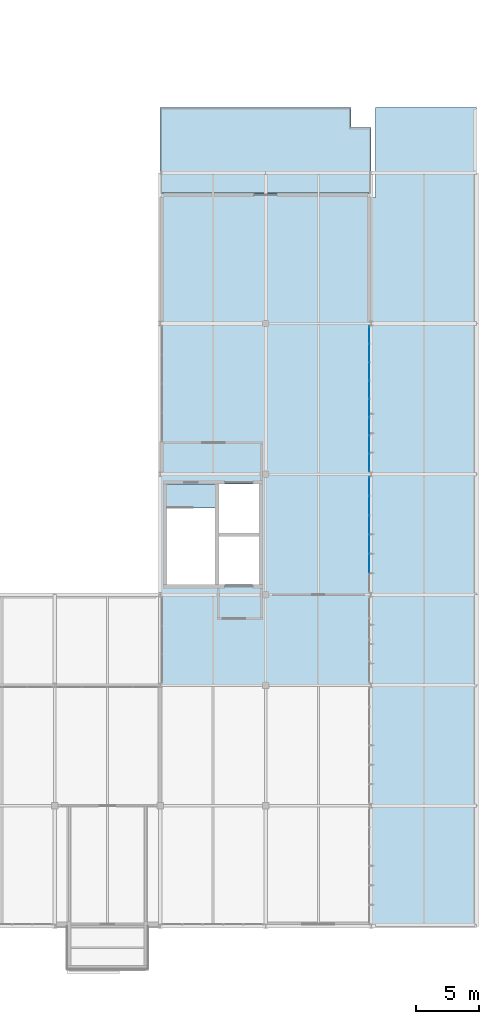
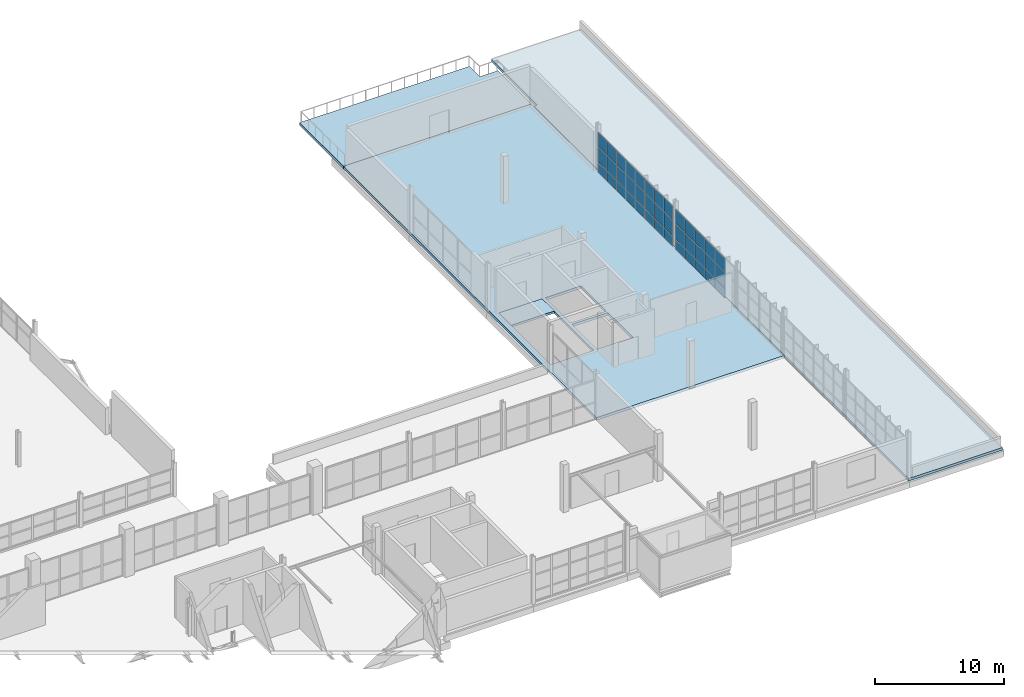
# One storey, part 90 of 103: 39 plates, 4 slabs, 2 elements without a shape of their own.
"""IFC4 building model written with IfcOpenShell, lengths in metres."""

from ifc_helpers import new_model, si_unit, direction, frame, origin, origin_2d, place, context, subcontext, project, spatial, polyline, rectangle, outline, extrude, material, layer, layer_set, type_object, element, aggregate, save


model = new_model("IFC4")

# Units and contexts
model_context = context("Model", 3, precision=1e-05, world=origin(), true_north=direction((0.0, 1.0)))
body_context = subcontext(model_context, "Body", "Model", "MODEL_VIEW")
ifc_project = project(units=[si_unit("LENGTHUNIT", "METRE"), si_unit("AREAUNIT", "SQUARE_METRE"), si_unit("VOLUMEUNIT", "CUBIC_METRE"), si_unit("PLANEANGLEUNIT", "RADIAN"), si_unit("MASSUNIT", "GRAM", prefix="KILO")], contexts=[model_context])

# Site, building, storey
site_placement = place(None, origin())
site = spatial("IfcSite", under=ifc_project, at=site_placement, CompositionType="ELEMENT")
building_placement = place(site_placement, origin())
building = spatial("IfcBuilding", under=site, at=building_placement, Name="Veltarok Museum of Natural Sciences", CompositionType="ELEMENT")
storey_placement = place(building_placement, frame((0.0, 0.0, 21.89990234375)))
storey = spatial("IfcBuildingStorey", under=building, at=storey_placement, Name="L04", CompositionType="ELEMENT", Elevation=21.89990234375)

# Slabs
ifc_material_1 = material(Name="Concrete C35/45", Category="concrete")
ifc_layer_1 = layer(ifc_material_1, 0.239990234375)
ifc_layer_set_1 = layer_set([ifc_layer_1], Name="Concrete C35/45")
slab_type_1 = type_object("IfcSlabType", Name="Insulated Flat Wing Roof Slab 240", PredefinedType="ROOF", material=ifc_layer_set_1)
slab_1_placement = place(storey_placement, frame((0.0, 0.0, -0.239990234375)))
element("IfcSlab", 1, at=slab_1_placement, inside=storey, type_object=slab_type_1, Name="Flat Wing Roof Slab RF-V5E", PredefinedType="ROOF", context=body_context, shape_type="SweptSolid", body=[
    extrude(outline(polyline([(157.60009765625, 0.0), (149.219970703125, 0.0), (149.219970703125, 58.050048828125), (149.550048828125, 58.050048828125), (149.550048828125, 65.199951171875), (157.60009765625, 65.199951171875), (157.60009765625, 0.0)])), origin(), (0.0, 0.0, 1.0), 0.239990234375),
])
ifc_layer_2 = layer(ifc_material_1, 0.260009765625)
ifc_layer_set_2 = layer_set([ifc_layer_2], Name="Concrete C35/45")
slab_type_2 = type_object("IfcSlabType", Name="Insulated Walkable Terrace Deck Slab 260", PredefinedType="FLOOR", material=ifc_layer_set_2)
slab_2_placement = place(storey_placement, frame((0.0, 0.0, -0.260009765625)))
element("IfcSlab", 2, at=slab_2_placement, inside=storey, type_object=slab_type_2, Name="Conservation Observation Terrace", PredefinedType="FLOOR", context=body_context, shape_type="SweptSolid", body=[
    extrude(outline(polyline([(132.39990234375, 58.39990234375), (149.199951171875, 58.39990234375), (149.199951171875, 63.60009765625), (147.60009765625, 63.60009765625), (147.60009765625, 65.199951171875), (132.39990234375, 65.199951171875), (132.39990234375, 58.39990234375)])), origin(), (0.0, 0.0, 1.0), 0.260009765625),
])
ifc_layer_3 = layer(ifc_material_1, 0.199951171875)
ifc_layer_set_3 = layer_set([ifc_layer_3], Name="Concrete C35/45")
slab_type_3 = type_object("IfcSlabType", Name="Protected Stair Intermediate Landing Slab 200", PredefinedType="LANDING", material=ifc_layer_set_3)
slab_3_placement = place(storey_placement, frame((0.0, 0.0, -0.199951171875)))
element("IfcSlab", 3, at=slab_3_placement, inside=storey, type_object=slab_type_3, Name="Top Stairwell Landing ST-05 L04", PredefinedType="LANDING", context=body_context, shape_type="SweptSolid", body=[
    extrude(outline(polyline([(132.909912109375, 33.300048828125), (136.7900390625, 33.300048828125), (136.7900390625, 35.219970703125), (132.909912109375, 35.219970703125), (132.909912109375, 33.300048828125)])), origin(), (0.0, 0.0, 1.0), 0.199951171875),
])
ifc_layer_4 = layer(ifc_material_1, 0.25)
ifc_layer_set_4 = layer_set([ifc_layer_4], Name="Concrete C35/45")
slab_type_4 = type_object("IfcSlabType", Name="Suspended Museum Floor Slab 250", PredefinedType="FLOOR", material=ifc_layer_set_4)
slab_4_placement = place(storey_placement, frame((0.0, 0.0, -0.25)))
element("IfcSlab", 4, at=slab_4_placement, inside=storey, type_object=slab_type_4, Name="Floor Slab L04 V5E", PredefinedType="FLOOR", context=body_context, shape_type="SweptSolid", body=[
    extrude(outline(polyline([(132.39990234375, 19.199951171875), (132.39990234375, 58.39990234375), (149.199951171875, 58.39990234375), (149.199951171875, 19.199951171875), (132.39990234375, 19.199951171875)]), holes=[polyline([(140.27001953125, 31.050048828125), (137.070068359375, 31.050048828125), (137.070068359375, 27.199951171875), (140.27001953125, 27.199951171875), (140.27001953125, 31.050048828125)]), polyline([(136.77001953125, 35.199951171875), (132.929931640625, 35.199951171875), (132.929931640625, 27.199951171875), (136.77001953125, 27.199951171875), (136.77001953125, 35.199951171875)]), polyline([(140.27001953125, 35.199951171875), (137.070068359375, 35.199951171875), (137.070068359375, 31.300048828125), (140.27001953125, 31.300048828125), (140.27001953125, 35.199951171875)])]), origin(), (0.0, 0.0, 1.0), 0.25),
])

# Curtain wall, plates
ifc_material_2 = material(Name="Low-iron triple insulated glass", Category="glass")
curtain_wall_type_1 = type_object("IfcCurtainWallType", Name="Curtain Wall System CW-V5E-L04-D-926x388 (V5 East Lab L04 D-E 926x388cm)", PredefinedType="NOTDEFINED", material=ifc_material_2)
curtain_wall_1_placement = place(storey_placement, origin())
curtain_wall_1 = element("IfcCurtainWall", 5, at=curtain_wall_1_placement, inside=storey, type_object=curtain_wall_type_1, Name="Curtain Wall CW-V5E-L04-D-926x388 CW-0123", PredefinedType="NOTDEFINED")
ifc_layer_5 = layer(ifc_material_2, 0.028076171875)
ifc_layer_set_5 = layer_set([ifc_layer_5], Name="Low-iron triple insulated glass")
plate_type = type_object("IfcPlateType", Name="Triple Low-Iron Glazed Vision Panel 28", PredefinedType="CURTAIN_PANEL", material=ifc_layer_set_5)
plate_1_placement = place(storey_placement, frame((149.050048828125, 28.885009765625, 0.06005859375), z_axis=(0.0, 0.0, 1.0), x_axis=(0.0, 1.0, 0.0)))
plate_1 = element("IfcPlate", 6, at=plate_1_placement, type_object=plate_type, Name="CW-V5E-L04-D-926x388 panel 2.1", PredefinedType="CURTAIN_PANEL", context=body_context, shape_type="SweptSolid", body=[
    extrude(rectangle(XDim=1.4833984375, YDim=0.028076171875, at=origin_2d()), origin(), (0.0, 0.0, 1.0), 0.909912109375),
])
plate_2_placement = place(storey_placement, frame((149.050048828125, 28.885009765625, 1.030029296875), z_axis=(0.0, 0.0, 1.0), x_axis=(0.0, 1.0, 0.0)))
plate_2 = element("IfcPlate", 7, at=plate_2_placement, type_object=plate_type, Name="CW-V5E-L04-D-926x388 panel 2.2", PredefinedType="CURTAIN_PANEL", context=body_context, shape_type="SweptSolid", body=[
    extrude(rectangle(XDim=1.4833984375, YDim=0.028076171875, at=origin_2d()), origin(), (0.0, 0.0, 1.0), 1.43994140625),
])
plate_3_placement = place(storey_placement, frame((149.050048828125, 28.885009765625, 2.530029296875), z_axis=(0.0, 0.0, 1.0), x_axis=(0.0, 1.0, 0.0)))
plate_3 = element("IfcPlate", 8, at=plate_3_placement, type_object=plate_type, Name="CW-V5E-L04-D-926x388 panel 2.3", PredefinedType="CURTAIN_PANEL", context=body_context, shape_type="SweptSolid", body=[
    extrude(rectangle(XDim=1.4833984375, YDim=0.028076171875, at=origin_2d()), origin(), (0.0, 0.0, 1.0), 1.2900390625),
])
plate_4_placement = place(storey_placement, frame((149.050048828125, 30.42822265625, 0.06005859375), z_axis=(0.0, 0.0, 1.0), x_axis=(0.0, 1.0, 0.0)))
plate_4 = element("IfcPlate", 9, at=plate_4_placement, type_object=plate_type, Name="CW-V5E-L04-D-926x388 panel 3.1", PredefinedType="CURTAIN_PANEL", context=body_context, shape_type="SweptSolid", body=[
    extrude(rectangle(XDim=1.4833984375, YDim=0.028076171875, at=origin_2d()), origin(), (0.0, 0.0, 1.0), 0.909912109375),
])
plate_5_placement = place(storey_placement, frame((149.050048828125, 30.42822265625, 1.030029296875), z_axis=(0.0, 0.0, 1.0), x_axis=(0.0, 1.0, 0.0)))
plate_5 = element("IfcPlate", 10, at=plate_5_placement, type_object=plate_type, Name="CW-V5E-L04-D-926x388 panel 3.2", PredefinedType="CURTAIN_PANEL", context=body_context, shape_type="SweptSolid", body=[
    extrude(rectangle(XDim=1.4833984375, YDim=0.028076171875, at=origin_2d()), origin(), (0.0, 0.0, 1.0), 1.43994140625),
])
plate_6_placement = place(storey_placement, frame((149.050048828125, 30.42822265625, 2.530029296875), z_axis=(0.0, 0.0, 1.0), x_axis=(0.0, 1.0, 0.0)))
plate_6 = element("IfcPlate", 11, at=plate_6_placement, type_object=plate_type, Name="CW-V5E-L04-D-926x388 panel 3.3", PredefinedType="CURTAIN_PANEL", context=body_context, shape_type="SweptSolid", body=[
    extrude(rectangle(XDim=1.4833984375, YDim=0.028076171875, at=origin_2d()), origin(), (0.0, 0.0, 1.0), 1.2900390625),
])
plate_7_placement = place(storey_placement, frame((149.050048828125, 31.9716796875, 0.06005859375), z_axis=(0.0, 0.0, 1.0), x_axis=(0.0, 1.0, 0.0)))
plate_7 = element("IfcPlate", 12, at=plate_7_placement, type_object=plate_type, Name="CW-V5E-L04-D-926x388 panel 4.1", PredefinedType="CURTAIN_PANEL", context=body_context, shape_type="SweptSolid", body=[
    extrude(rectangle(XDim=1.4833984375, YDim=0.028076171875, at=origin_2d()), origin(), (0.0, 0.0, 1.0), 0.909912109375),
])
plate_8_placement = place(storey_placement, frame((149.050048828125, 31.9716796875, 1.030029296875), z_axis=(0.0, 0.0, 1.0), x_axis=(0.0, 1.0, 0.0)))
plate_8 = element("IfcPlate", 13, at=plate_8_placement, type_object=plate_type, Name="CW-V5E-L04-D-926x388 panel 4.2", PredefinedType="CURTAIN_PANEL", context=body_context, shape_type="SweptSolid", body=[
    extrude(rectangle(XDim=1.4833984375, YDim=0.028076171875, at=origin_2d()), origin(), (0.0, 0.0, 1.0), 1.43994140625),
])
plate_9_placement = place(storey_placement, frame((149.050048828125, 31.9716796875, 2.530029296875), z_axis=(0.0, 0.0, 1.0), x_axis=(0.0, 1.0, 0.0)))
plate_9 = element("IfcPlate", 14, at=plate_9_placement, type_object=plate_type, Name="CW-V5E-L04-D-926x388 panel 4.3", PredefinedType="CURTAIN_PANEL", context=body_context, shape_type="SweptSolid", body=[
    extrude(rectangle(XDim=1.4833984375, YDim=0.028076171875, at=origin_2d()), origin(), (0.0, 0.0, 1.0), 1.2900390625),
])
plate_10_placement = place(storey_placement, frame((149.050048828125, 33.514892578125, 0.06005859375), z_axis=(0.0, 0.0, 1.0), x_axis=(0.0, 1.0, 0.0)))
plate_10 = element("IfcPlate", 15, at=plate_10_placement, type_object=plate_type, Name="CW-V5E-L04-D-926x388 panel 5.1", PredefinedType="CURTAIN_PANEL", context=body_context, shape_type="SweptSolid", body=[
    extrude(rectangle(XDim=1.4833984375, YDim=0.028076171875, at=origin_2d()), origin(), (0.0, 0.0, 1.0), 0.909912109375),
])
plate_11_placement = place(storey_placement, frame((149.050048828125, 33.514892578125, 1.030029296875), z_axis=(0.0, 0.0, 1.0), x_axis=(0.0, 1.0, 0.0)))
plate_11 = element("IfcPlate", 16, at=plate_11_placement, type_object=plate_type, Name="CW-V5E-L04-D-926x388 panel 5.2", PredefinedType="CURTAIN_PANEL", context=body_context, shape_type="SweptSolid", body=[
    extrude(rectangle(XDim=1.4833984375, YDim=0.028076171875, at=origin_2d()), origin(), (0.0, 0.0, 1.0), 1.43994140625),
])
plate_12_placement = place(storey_placement, frame((149.050048828125, 33.514892578125, 2.530029296875), z_axis=(0.0, 0.0, 1.0), x_axis=(0.0, 1.0, 0.0)))
plate_12 = element("IfcPlate", 17, at=plate_12_placement, type_object=plate_type, Name="CW-V5E-L04-D-926x388 panel 5.3", PredefinedType="CURTAIN_PANEL", context=body_context, shape_type="SweptSolid", body=[
    extrude(rectangle(XDim=1.4833984375, YDim=0.028076171875, at=origin_2d()), origin(), (0.0, 0.0, 1.0), 1.2900390625),
])
plate_13_placement = place(storey_placement, frame((149.050048828125, 35.043212890625, 0.06005859375), z_axis=(0.0, 0.0, 1.0), x_axis=(0.0, 1.0, 0.0)))
plate_13 = element("IfcPlate", 18, at=plate_13_placement, type_object=plate_type, Name="CW-V5E-L04-D-926x388 panel 6.1", PredefinedType="CURTAIN_PANEL", context=body_context, shape_type="SweptSolid", body=[
    extrude(rectangle(XDim=1.453369140625, YDim=0.028076171875, at=origin_2d()), origin(), (0.0, 0.0, 1.0), 0.909912109375),
])
plate_14_placement = place(storey_placement, frame((149.050048828125, 35.043212890625, 1.030029296875), z_axis=(0.0, 0.0, 1.0), x_axis=(0.0, 1.0, 0.0)))
plate_14 = element("IfcPlate", 19, at=plate_14_placement, type_object=plate_type, Name="CW-V5E-L04-D-926x388 panel 6.2", PredefinedType="CURTAIN_PANEL", context=body_context, shape_type="SweptSolid", body=[
    extrude(rectangle(XDim=1.453369140625, YDim=0.028076171875, at=origin_2d()), origin(), (0.0, 0.0, 1.0), 1.43994140625),
])
plate_15_placement = place(storey_placement, frame((149.050048828125, 35.043212890625, 2.530029296875), z_axis=(0.0, 0.0, 1.0), x_axis=(0.0, 1.0, 0.0)))
plate_15 = element("IfcPlate", 20, at=plate_15_placement, type_object=plate_type, Name="CW-V5E-L04-D-926x388 panel 6.3", PredefinedType="CURTAIN_PANEL", context=body_context, shape_type="SweptSolid", body=[
    extrude(rectangle(XDim=1.453369140625, YDim=0.028076171875, at=origin_2d()), origin(), (0.0, 0.0, 1.0), 1.2900390625),
])
aggregate(curtain_wall_1, [plate_1, plate_2, plate_3, plate_4, plate_5, plate_6, plate_7, plate_8, plate_9, plate_10, plate_11, plate_12, plate_13, plate_14, plate_15])

curtain_wall_type_2 = type_object("IfcCurtainWallType", Name="Curtain Wall System CW-V5E-L04-E-1166x388 (V5 East Lab L04 E-F 1166x388cm)", PredefinedType="NOTDEFINED", material=ifc_material_2)
curtain_wall_2_placement = place(storey_placement, origin())
curtain_wall_2 = element("IfcCurtainWall", 21, at=curtain_wall_2_placement, inside=storey, type_object=curtain_wall_type_2, Name="Curtain Wall CW-V5E-L04-E-1166x388 CW-0124", PredefinedType="NOTDEFINED")
plate_16_placement = place(storey_placement, frame((149.050048828125, 36.913818359375, 0.06005859375), z_axis=(0.0, 0.0, 1.0), x_axis=(0.0, 1.0, 0.0)))
plate_16 = element("IfcPlate", 22, at=plate_16_placement, type_object=plate_type, Name="CW-V5E-L04-E-1166x388 panel 1.1", PredefinedType="CURTAIN_PANEL", context=body_context, shape_type="SweptSolid", body=[
    extrude(rectangle(XDim=1.367431640625, YDim=0.028076171875, at=origin_2d()), origin(), (0.0, 0.0, 1.0), 0.909912109375),
])
plate_17_placement = place(storey_placement, frame((149.050048828125, 36.913818359375, 1.030029296875), z_axis=(0.0, 0.0, 1.0), x_axis=(0.0, 1.0, 0.0)))
plate_17 = element("IfcPlate", 23, at=plate_17_placement, type_object=plate_type, Name="CW-V5E-L04-E-1166x388 panel 1.2", PredefinedType="CURTAIN_PANEL", context=body_context, shape_type="SweptSolid", body=[
    extrude(rectangle(XDim=1.367431640625, YDim=0.028076171875, at=origin_2d()), origin(), (0.0, 0.0, 1.0), 1.43994140625),
])
plate_18_placement = place(storey_placement, frame((149.050048828125, 36.913818359375, 2.530029296875), z_axis=(0.0, 0.0, 1.0), x_axis=(0.0, 1.0, 0.0)))
plate_18 = element("IfcPlate", 24, at=plate_18_placement, type_object=plate_type, Name="CW-V5E-L04-E-1166x388 panel 1.3", PredefinedType="CURTAIN_PANEL", context=body_context, shape_type="SweptSolid", body=[
    extrude(rectangle(XDim=1.367431640625, YDim=0.028076171875, at=origin_2d()), origin(), (0.0, 0.0, 1.0), 1.2900390625),
])
plate_19_placement = place(storey_placement, frame((149.050048828125, 38.356201171875, 0.06005859375), z_axis=(0.0, 0.0, 1.0), x_axis=(0.0, 1.0, 0.0)))
plate_19 = element("IfcPlate", 25, at=plate_19_placement, type_object=plate_type, Name="CW-V5E-L04-E-1166x388 panel 2.1", PredefinedType="CURTAIN_PANEL", context=body_context, shape_type="SweptSolid", body=[
    extrude(rectangle(XDim=1.3974609375, YDim=0.028076171875, at=origin_2d()), origin(), (0.0, 0.0, 1.0), 0.909912109375),
])
plate_20_placement = place(storey_placement, frame((149.050048828125, 38.356201171875, 1.030029296875), z_axis=(0.0, 0.0, 1.0), x_axis=(0.0, 1.0, 0.0)))
plate_20 = element("IfcPlate", 26, at=plate_20_placement, type_object=plate_type, Name="CW-V5E-L04-E-1166x388 panel 2.2", PredefinedType="CURTAIN_PANEL", context=body_context, shape_type="SweptSolid", body=[
    extrude(rectangle(XDim=1.3974609375, YDim=0.028076171875, at=origin_2d()), origin(), (0.0, 0.0, 1.0), 1.43994140625),
])
plate_21_placement = place(storey_placement, frame((149.050048828125, 38.356201171875, 2.530029296875), z_axis=(0.0, 0.0, 1.0), x_axis=(0.0, 1.0, 0.0)))
plate_21 = element("IfcPlate", 27, at=plate_21_placement, type_object=plate_type, Name="CW-V5E-L04-E-1166x388 panel 2.3", PredefinedType="CURTAIN_PANEL", context=body_context, shape_type="SweptSolid", body=[
    extrude(rectangle(XDim=1.3974609375, YDim=0.028076171875, at=origin_2d()), origin(), (0.0, 0.0, 1.0), 1.2900390625),
])
plate_22_placement = place(storey_placement, frame((149.050048828125, 39.813720703125, 0.06005859375), z_axis=(0.0, 0.0, 1.0), x_axis=(0.0, 1.0, 0.0)))
plate_22 = element("IfcPlate", 28, at=plate_22_placement, type_object=plate_type, Name="CW-V5E-L04-E-1166x388 panel 3.1", PredefinedType="CURTAIN_PANEL", context=body_context, shape_type="SweptSolid", body=[
    extrude(rectangle(XDim=1.3974609375, YDim=0.028076171875, at=origin_2d()), origin(), (0.0, 0.0, 1.0), 0.909912109375),
])
plate_23_placement = place(storey_placement, frame((149.050048828125, 39.813720703125, 1.030029296875), z_axis=(0.0, 0.0, 1.0), x_axis=(0.0, 1.0, 0.0)))
plate_23 = element("IfcPlate", 29, at=plate_23_placement, type_object=plate_type, Name="CW-V5E-L04-E-1166x388 panel 3.2", PredefinedType="CURTAIN_PANEL", context=body_context, shape_type="SweptSolid", body=[
    extrude(rectangle(XDim=1.3974609375, YDim=0.028076171875, at=origin_2d()), origin(), (0.0, 0.0, 1.0), 1.43994140625),
])
plate_24_placement = place(storey_placement, frame((149.050048828125, 39.813720703125, 2.530029296875), z_axis=(0.0, 0.0, 1.0), x_axis=(0.0, 1.0, 0.0)))
plate_24 = element("IfcPlate", 30, at=plate_24_placement, type_object=plate_type, Name="CW-V5E-L04-E-1166x388 panel 3.3", PredefinedType="CURTAIN_PANEL", context=body_context, shape_type="SweptSolid", body=[
    extrude(rectangle(XDim=1.3974609375, YDim=0.028076171875, at=origin_2d()), origin(), (0.0, 0.0, 1.0), 1.2900390625),
])
plate_25_placement = place(storey_placement, frame((149.050048828125, 41.271240234375, 0.06005859375), z_axis=(0.0, 0.0, 1.0), x_axis=(0.0, 1.0, 0.0)))
plate_25 = element("IfcPlate", 31, at=plate_25_placement, type_object=plate_type, Name="CW-V5E-L04-E-1166x388 panel 4.1", PredefinedType="CURTAIN_PANEL", context=body_context, shape_type="SweptSolid", body=[
    extrude(rectangle(XDim=1.3974609375, YDim=0.028076171875, at=origin_2d()), origin(), (0.0, 0.0, 1.0), 0.909912109375),
])
plate_26_placement = place(storey_placement, frame((149.050048828125, 41.271240234375, 1.030029296875), z_axis=(0.0, 0.0, 1.0), x_axis=(0.0, 1.0, 0.0)))
plate_26 = element("IfcPlate", 32, at=plate_26_placement, type_object=plate_type, Name="CW-V5E-L04-E-1166x388 panel 4.2", PredefinedType="CURTAIN_PANEL", context=body_context, shape_type="SweptSolid", body=[
    extrude(rectangle(XDim=1.3974609375, YDim=0.028076171875, at=origin_2d()), origin(), (0.0, 0.0, 1.0), 1.43994140625),
])
plate_27_placement = place(storey_placement, frame((149.050048828125, 41.271240234375, 2.530029296875), z_axis=(0.0, 0.0, 1.0), x_axis=(0.0, 1.0, 0.0)))
plate_27 = element("IfcPlate", 33, at=plate_27_placement, type_object=plate_type, Name="CW-V5E-L04-E-1166x388 panel 4.3", PredefinedType="CURTAIN_PANEL", context=body_context, shape_type="SweptSolid", body=[
    extrude(rectangle(XDim=1.3974609375, YDim=0.028076171875, at=origin_2d()), origin(), (0.0, 0.0, 1.0), 1.2900390625),
])
plate_28_placement = place(storey_placement, frame((149.050048828125, 42.728759765625, 0.06005859375), z_axis=(0.0, 0.0, 1.0), x_axis=(0.0, 1.0, 0.0)))
plate_28 = element("IfcPlate", 34, at=plate_28_placement, type_object=plate_type, Name="CW-V5E-L04-E-1166x388 panel 5.1", PredefinedType="CURTAIN_PANEL", context=body_context, shape_type="SweptSolid", body=[
    extrude(rectangle(XDim=1.3974609375, YDim=0.028076171875, at=origin_2d()), origin(), (0.0, 0.0, 1.0), 0.909912109375),
])
plate_29_placement = place(storey_placement, frame((149.050048828125, 42.728759765625, 1.030029296875), z_axis=(0.0, 0.0, 1.0), x_axis=(0.0, 1.0, 0.0)))
plate_29 = element("IfcPlate", 35, at=plate_29_placement, type_object=plate_type, Name="CW-V5E-L04-E-1166x388 panel 5.2", PredefinedType="CURTAIN_PANEL", context=body_context, shape_type="SweptSolid", body=[
    extrude(rectangle(XDim=1.3974609375, YDim=0.028076171875, at=origin_2d()), origin(), (0.0, 0.0, 1.0), 1.43994140625),
])
plate_30_placement = place(storey_placement, frame((149.050048828125, 42.728759765625, 2.530029296875), z_axis=(0.0, 0.0, 1.0), x_axis=(0.0, 1.0, 0.0)))
plate_30 = element("IfcPlate", 36, at=plate_30_placement, type_object=plate_type, Name="CW-V5E-L04-E-1166x388 panel 5.3", PredefinedType="CURTAIN_PANEL", context=body_context, shape_type="SweptSolid", body=[
    extrude(rectangle(XDim=1.3974609375, YDim=0.028076171875, at=origin_2d()), origin(), (0.0, 0.0, 1.0), 1.2900390625),
])
plate_31_placement = place(storey_placement, frame((149.050048828125, 44.186279296875, 0.06005859375), z_axis=(0.0, 0.0, 1.0), x_axis=(0.0, 1.0, 0.0)))
plate_31 = element("IfcPlate", 37, at=plate_31_placement, type_object=plate_type, Name="CW-V5E-L04-E-1166x388 panel 6.1", PredefinedType="CURTAIN_PANEL", context=body_context, shape_type="SweptSolid", body=[
    extrude(rectangle(XDim=1.3974609375, YDim=0.028076171875, at=origin_2d()), origin(), (0.0, 0.0, 1.0), 0.909912109375),
])
plate_32_placement = place(storey_placement, frame((149.050048828125, 44.186279296875, 1.030029296875), z_axis=(0.0, 0.0, 1.0), x_axis=(0.0, 1.0, 0.0)))
plate_32 = element("IfcPlate", 38, at=plate_32_placement, type_object=plate_type, Name="CW-V5E-L04-E-1166x388 panel 6.2", PredefinedType="CURTAIN_PANEL", context=body_context, shape_type="SweptSolid", body=[
    extrude(rectangle(XDim=1.3974609375, YDim=0.028076171875, at=origin_2d()), origin(), (0.0, 0.0, 1.0), 1.43994140625),
])
plate_33_placement = place(storey_placement, frame((149.050048828125, 44.186279296875, 2.530029296875), z_axis=(0.0, 0.0, 1.0), x_axis=(0.0, 1.0, 0.0)))
plate_33 = element("IfcPlate", 39, at=plate_33_placement, type_object=plate_type, Name="CW-V5E-L04-E-1166x388 panel 6.3", PredefinedType="CURTAIN_PANEL", context=body_context, shape_type="SweptSolid", body=[
    extrude(rectangle(XDim=1.3974609375, YDim=0.028076171875, at=origin_2d()), origin(), (0.0, 0.0, 1.0), 1.2900390625),
])
plate_34_placement = place(storey_placement, frame((149.050048828125, 45.643798828125, 0.06005859375), z_axis=(0.0, 0.0, 1.0), x_axis=(0.0, 1.0, 0.0)))
plate_34 = element("IfcPlate", 40, at=plate_34_placement, type_object=plate_type, Name="CW-V5E-L04-E-1166x388 panel 7.1", PredefinedType="CURTAIN_PANEL", context=body_context, shape_type="SweptSolid", body=[
    extrude(rectangle(XDim=1.3974609375, YDim=0.028076171875, at=origin_2d()), origin(), (0.0, 0.0, 1.0), 0.909912109375),
])
plate_35_placement = place(storey_placement, frame((149.050048828125, 45.643798828125, 1.030029296875), z_axis=(0.0, 0.0, 1.0), x_axis=(0.0, 1.0, 0.0)))
plate_35 = element("IfcPlate", 41, at=plate_35_placement, type_object=plate_type, Name="CW-V5E-L04-E-1166x388 panel 7.2", PredefinedType="CURTAIN_PANEL", context=body_context, shape_type="SweptSolid", body=[
    extrude(rectangle(XDim=1.3974609375, YDim=0.028076171875, at=origin_2d()), origin(), (0.0, 0.0, 1.0), 1.43994140625),
])
plate_36_placement = place(storey_placement, frame((149.050048828125, 45.643798828125, 2.530029296875), z_axis=(0.0, 0.0, 1.0), x_axis=(0.0, 1.0, 0.0)))
plate_36 = element("IfcPlate", 42, at=plate_36_placement, type_object=plate_type, Name="CW-V5E-L04-E-1166x388 panel 7.3", PredefinedType="CURTAIN_PANEL", context=body_context, shape_type="SweptSolid", body=[
    extrude(rectangle(XDim=1.3974609375, YDim=0.028076171875, at=origin_2d()), origin(), (0.0, 0.0, 1.0), 1.2900390625),
])
plate_37_placement = place(storey_placement, frame((149.050048828125, 47.086181640625, 0.06005859375), z_axis=(0.0, 0.0, 1.0), x_axis=(0.0, 1.0, 0.0)))
plate_37 = element("IfcPlate", 43, at=plate_37_placement, type_object=plate_type, Name="CW-V5E-L04-E-1166x388 panel 8.1", PredefinedType="CURTAIN_PANEL", context=body_context, shape_type="SweptSolid", body=[
    extrude(rectangle(XDim=1.367431640625, YDim=0.028076171875, at=origin_2d()), origin(), (0.0, 0.0, 1.0), 0.909912109375),
])
plate_38_placement = place(storey_placement, frame((149.050048828125, 47.086181640625, 1.030029296875), z_axis=(0.0, 0.0, 1.0), x_axis=(0.0, 1.0, 0.0)))
plate_38 = element("IfcPlate", 44, at=plate_38_placement, type_object=plate_type, Name="CW-V5E-L04-E-1166x388 panel 8.2", PredefinedType="CURTAIN_PANEL", context=body_context, shape_type="SweptSolid", body=[
    extrude(rectangle(XDim=1.367431640625, YDim=0.028076171875, at=origin_2d()), origin(), (0.0, 0.0, 1.0), 1.43994140625),
])
plate_39_placement = place(storey_placement, frame((149.050048828125, 47.086181640625, 2.530029296875), z_axis=(0.0, 0.0, 1.0), x_axis=(0.0, 1.0, 0.0)))
plate_39 = element("IfcPlate", 45, at=plate_39_placement, type_object=plate_type, Name="CW-V5E-L04-E-1166x388 panel 8.3", PredefinedType="CURTAIN_PANEL", context=body_context, shape_type="SweptSolid", body=[
    extrude(rectangle(XDim=1.367431640625, YDim=0.028076171875, at=origin_2d()), origin(), (0.0, 0.0, 1.0), 1.2900390625),
])
aggregate(curtain_wall_2, [plate_16, plate_17, plate_18, plate_19, plate_20, plate_21, plate_22, plate_23, plate_24, plate_25, plate_26, plate_27, plate_28, plate_29, plate_30, plate_31, plate_32, plate_33, plate_34, plate_35, plate_36, plate_37, plate_38, plate_39])

save(model, "model.ifc")
